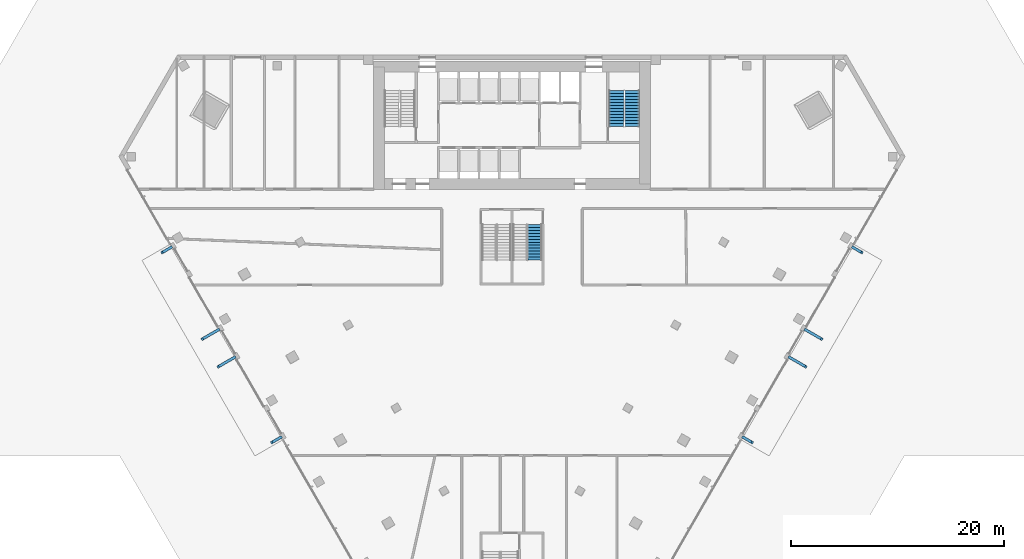
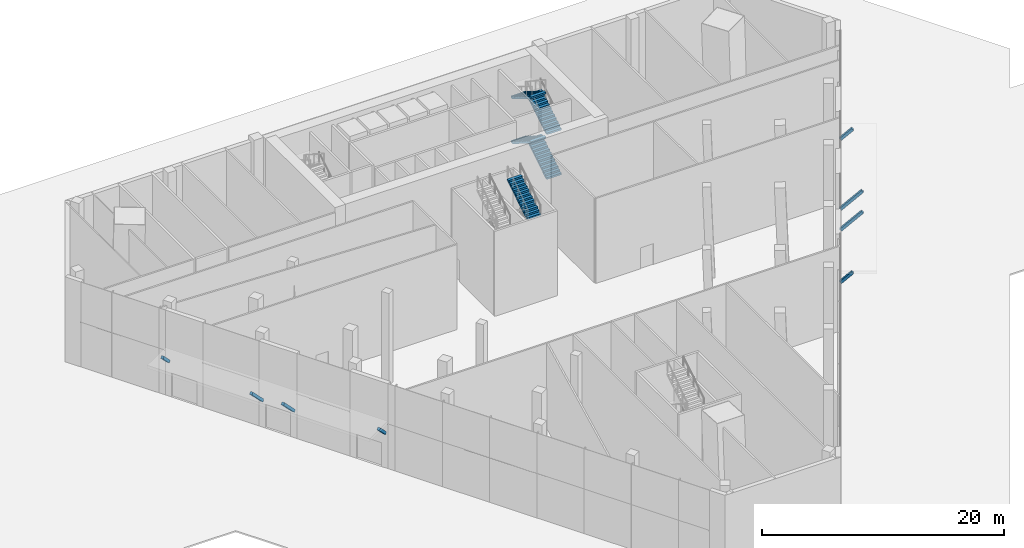
# One storey, part 16 of 21: 8 discrete accessories, 5 stair flights, 2 elements without a shape of their own.
"""IFC4 building model written with IfcOpenShell, lengths in metres."""

from ifc_helpers import new_model, si_unit, direction, frame, origin, origin_2d, place, context, subcontext, project, spatial, polyline, rectangle, outline, extrude, material, material_profile, profile_set, type_object, element, aggregate, save


model = new_model("IFC4")

# Units and contexts
model_context = context("Model", 3, precision=1e-05, world=origin(), true_north=direction((0.0, 1.0)))
body_context = subcontext(model_context, "Body", "Model", "MODEL_VIEW")
ifc_project = project(units=[si_unit("LENGTHUNIT", "METRE"), si_unit("AREAUNIT", "SQUARE_METRE"), si_unit("VOLUMEUNIT", "CUBIC_METRE"), si_unit("PLANEANGLEUNIT", "RADIAN"), si_unit("MASSUNIT", "GRAM", prefix="KILO")], contexts=[model_context])

# Site, building, storey
site_placement = place(None, origin())
site = spatial("IfcSite", under=ifc_project, at=site_placement, CompositionType="ELEMENT")
building_placement = place(site_placement, origin())
building = spatial("IfcBuilding", under=site, at=building_placement, Name="Altiplano Prism Tower", CompositionType="ELEMENT")
storey_placement = place(building_placement, origin())
storey = spatial("IfcBuildingStorey", under=building, at=storey_placement, Name="L00", CompositionType="ELEMENT", Elevation=0.0)

# Stair, stair flights
ifc_material_1 = material(Name="Concrete C40/50", Category="concrete")
stair_type_1 = type_object("IfcStairType", Name="Exit stair 1400", PredefinedType="HALF_TURN_STAIR", material=ifc_material_1)
stair_1_placement = place(storey_placement, origin())
stair_1 = element("IfcStair", 1, at=stair_1_placement, inside=storey, type_object=stair_type_1, Name="L00 Exit Stair 2", PredefinedType="HALF_TURN_STAIR")
stair_flight_type = type_object("IfcStairFlightType", Name="Stair flight concrete 150", PredefinedType="STRAIGHT", material=ifc_material_1)
stair_flight_1_placement = place(storey_placement, frame((96.300048828125, 98.300048828125, 0.0), z_axis=(0.0, 0.0, 1.0), x_axis=(0.0, 1.0, 0.0)))
stair_flight_1 = element("IfcStairFlight", 2, at=stair_flight_1_placement, type_object=stair_flight_type, Name="ST2 flight 1", NumberOfRisers=13, NumberOfTreads=12, PredefinedType="STRAIGHT", RiserHeight=0.173076923, TreadLength=0.28, context=body_context, shape_type="SweptSolid", body=[
    extrude(outline(polyline([(0.0, 0.0), (0.0, 0.173095703125), (0.280029296875, 0.173095703125), (0.280029296875, 0.34619140625), (0.56005859375, 0.34619140625), (0.56005859375, 0.519287109375), (0.840087890625, 0.519287109375), (0.840087890625, 0.6923828125), (1.1201171875, 0.6923828125), (1.1201171875, 0.865478515625), (1.39990234375, 0.865478515625), (1.39990234375, 1.03857421875), (1.679931640625, 1.03857421875), (1.679931640625, 1.21142578125), (1.9599609375, 1.21142578125), (1.9599609375, 1.384521484375), (2.239990234375, 1.384521484375), (2.239990234375, 1.5576171875), (2.52001953125, 1.5576171875), (2.52001953125, 1.730712890625), (2.800048828125, 1.730712890625), (2.800048828125, 1.90380859375), (3.080078125, 1.90380859375), (3.080078125, 2.076904296875), (3.360107421875, 2.076904296875), (3.360107421875, 2.25), (3.360107421875, 1.900634765625), (0.28515625, 0.0), (0.0, 0.0)])), frame((0.0, 0.699951171875, 0.0), z_axis=(0.0, -1.0, 0.0), x_axis=(1.0, 0.0, 0.0)), (0.0, 0.0, 1.0), 1.39990234375),
])
stair_flight_2_placement = place(storey_placement, frame((94.800048828125, 101.659912109375, 2.25), z_axis=(0.0, 0.0, 1.0), x_axis=(0.0, -1.0, 0.0)))
stair_flight_2 = element("IfcStairFlight", 3, at=stair_flight_2_placement, type_object=stair_flight_type, Name="ST2 flight 2", NumberOfRisers=13, NumberOfTreads=12, PredefinedType="STRAIGHT", RiserHeight=0.173076923, TreadLength=0.28, context=body_context, shape_type="SweptSolid", body=[
    extrude(outline(polyline([(0.0, 0.0), (0.0, 0.173095703125), (0.280029296875, 0.173095703125), (0.280029296875, 0.34619140625), (0.56005859375, 0.34619140625), (0.56005859375, 0.519287109375), (0.840087890625, 0.519287109375), (0.840087890625, 0.6923828125), (1.1201171875, 0.6923828125), (1.1201171875, 0.865478515625), (1.39990234375, 0.865478515625), (1.39990234375, 1.03857421875), (1.679931640625, 1.03857421875), (1.679931640625, 1.21142578125), (1.9599609375, 1.21142578125), (1.9599609375, 1.384521484375), (2.239990234375, 1.384521484375), (2.239990234375, 1.5576171875), (2.52001953125, 1.5576171875), (2.52001953125, 1.730712890625), (2.800048828125, 1.730712890625), (2.800048828125, 1.90380859375), (3.080078125, 1.90380859375), (3.080078125, 2.076904296875), (3.360107421875, 2.076904296875), (3.360107421875, 2.25), (3.360107421875, 1.900634765625), (0.28515625, 0.0), (0.0, 0.0)])), frame((0.0, 0.699951171875, 0.0), z_axis=(0.0, -1.0, 0.0), x_axis=(1.0, 0.0, 0.0)), (0.0, 0.0, 1.0), 1.39990234375),
])
stair_flight_3_placement = place(storey_placement, frame((96.300048828125, 98.300048828125, 4.5), z_axis=(0.0, 0.0, 1.0), x_axis=(0.0, 1.0, 0.0)))
stair_flight_3 = element("IfcStairFlight", 4, at=stair_flight_3_placement, type_object=stair_flight_type, Name="ST2 flight 3", NumberOfRisers=13, NumberOfTreads=12, PredefinedType="STRAIGHT", RiserHeight=0.173076923, TreadLength=0.28, context=body_context, shape_type="SweptSolid", body=[
    extrude(outline(polyline([(0.0, 0.0), (0.0, 0.173095703125), (0.280029296875, 0.173095703125), (0.280029296875, 0.34619140625), (0.56005859375, 0.34619140625), (0.56005859375, 0.519287109375), (0.840087890625, 0.519287109375), (0.840087890625, 0.6923828125), (1.1201171875, 0.6923828125), (1.1201171875, 0.865478515625), (1.39990234375, 0.865478515625), (1.39990234375, 1.03857421875), (1.679931640625, 1.03857421875), (1.679931640625, 1.21142578125), (1.9599609375, 1.21142578125), (1.9599609375, 1.384521484375), (2.239990234375, 1.384521484375), (2.239990234375, 1.5576171875), (2.52001953125, 1.5576171875), (2.52001953125, 1.730712890625), (2.800048828125, 1.730712890625), (2.800048828125, 1.90380859375), (3.080078125, 1.90380859375), (3.080078125, 2.076904296875), (3.360107421875, 2.076904296875), (3.360107421875, 2.25), (3.360107421875, 1.900634765625), (0.28515625, 0.0), (0.0, 0.0)])), frame((0.0, 0.699951171875, 0.0), z_axis=(0.0, -1.0, 0.0), x_axis=(1.0, 0.0, 0.0)), (0.0, 0.0, 1.0), 1.39990234375),
])
stair_flight_4_placement = place(storey_placement, frame((94.800048828125, 101.659912109375, 6.75), z_axis=(0.0, 0.0, 1.0), x_axis=(0.0, -1.0, 0.0)))
stair_flight_4 = element("IfcStairFlight", 5, at=stair_flight_4_placement, type_object=stair_flight_type, Name="ST2 flight 4", NumberOfRisers=13, NumberOfTreads=12, PredefinedType="STRAIGHT", RiserHeight=0.173076923, TreadLength=0.28, context=body_context, shape_type="SweptSolid", body=[
    extrude(outline(polyline([(0.0, 0.0), (0.0, 0.173095703125), (0.280029296875, 0.173095703125), (0.280029296875, 0.34619140625), (0.56005859375, 0.34619140625), (0.56005859375, 0.519287109375), (0.840087890625, 0.519287109375), (0.840087890625, 0.6923828125), (1.1201171875, 0.6923828125), (1.1201171875, 0.865478515625), (1.39990234375, 0.865478515625), (1.39990234375, 1.03857421875), (1.679931640625, 1.03857421875), (1.679931640625, 1.21142578125), (1.9599609375, 1.21142578125), (1.9599609375, 1.384521484375), (2.239990234375, 1.384521484375), (2.239990234375, 1.5576171875), (2.52001953125, 1.5576171875), (2.52001953125, 1.730712890625), (2.800048828125, 1.730712890625), (2.800048828125, 1.90380859375), (3.080078125, 1.90380859375), (3.080078125, 2.076904296875), (3.360107421875, 2.076904296875), (3.360107421875, 2.25), (3.360107421875, 1.900634765625), (0.28515625, 0.0), (0.0, 0.0)])), frame((0.0, 0.699951171875, 0.0), z_axis=(0.0, -1.0, 0.0), x_axis=(1.0, 0.0, 0.0)), (0.0, 0.0, 1.0), 1.39990234375),
])
aggregate(stair_1, [stair_flight_1, stair_flight_2, stair_flight_3, stair_flight_4])

# Stair, stair flight
stair_type_2 = type_object("IfcStairType", Name="Exit stair 1300", PredefinedType="HALF_TURN_STAIR", material=ifc_material_1)
stair_2_placement = place(storey_placement, origin())
stair_2 = element("IfcStair", 6, at=stair_2_placement, inside=storey, type_object=stair_type_2, Name="L00 Exit Stair 3B", PredefinedType="HALF_TURN_STAIR")
stair_flight_5_placement = place(storey_placement, frame((87.14990234375, 85.739990234375, 6.75), z_axis=(0.0, 0.0, 1.0), x_axis=(0.0, 1.0, 0.0)))
stair_flight_5 = element("IfcStairFlight", 7, at=stair_flight_5_placement, type_object=stair_flight_type, Name="ST3B flight 4", NumberOfRisers=13, NumberOfTreads=12, PredefinedType="STRAIGHT", RiserHeight=0.173076923, TreadLength=0.28, context=body_context, shape_type="SweptSolid", body=[
    extrude(outline(polyline([(0.0, 0.0), (0.0, 0.173095703125), (0.280029296875, 0.173095703125), (0.280029296875, 0.34619140625), (0.56005859375, 0.34619140625), (0.56005859375, 0.519287109375), (0.840087890625, 0.519287109375), (0.840087890625, 0.6923828125), (1.1201171875, 0.6923828125), (1.1201171875, 0.865478515625), (1.39990234375, 0.865478515625), (1.39990234375, 1.03857421875), (1.679931640625, 1.03857421875), (1.679931640625, 1.21142578125), (1.9599609375, 1.21142578125), (1.9599609375, 1.384521484375), (2.239990234375, 1.384521484375), (2.239990234375, 1.5576171875), (2.52001953125, 1.5576171875), (2.52001953125, 1.730712890625), (2.800048828125, 1.730712890625), (2.800048828125, 1.90380859375), (3.080078125, 1.90380859375), (3.080078125, 2.076904296875), (3.360107421875, 2.076904296875), (3.360107421875, 2.25), (3.360107421875, 1.900634765625), (0.28515625, 0.0), (0.0, 0.0)])), frame((0.0, 0.64990234375, 0.0), z_axis=(0.0, -1.0, 0.0), x_axis=(1.0, 0.0, 0.0)), (0.0, 0.0, 1.0), 1.300048828125),
])
aggregate(stair_2, [stair_flight_5])

# Discrete accessories
ifc_material_2 = material(Name="Steel S355", Category="steel")
ifc_material_profile = material_profile(ifc_material_2, rectangle(XDim=0.25, YDim=0.25, at=origin_2d()), Name="Canopy bracket 250 x 250")
ifc_profile_set = profile_set([ifc_material_profile], Name="Steel S355")
discrete_accessory_type = type_object("IfcDiscreteAccessoryType", Name="Canopy bracket 250 x 250", PredefinedType="USERDEFINED", material=ifc_profile_set)
discrete_accessory_1_placement = place(storey_placement, frame((52.986083984375, 86.949951171875, 3.5), z_axis=(-0.612454420908, -0.353524987041, 0.707049974081), x_axis=(0.499919672301, -0.866071776036, 0.0)))
element("IfcDiscreteAccessory", 8, at=discrete_accessory_1_placement, inside=storey, type_object=discrete_accessory_type, Name="Canopy bracket 1.1", ObjectType="BRACKET", PredefinedType="USERDEFINED", context=body_context, shape_type="SweptSolid", body=[
    extrude(rectangle(XDim=0.25, YDim=0.25, at=origin_2d()), origin(), (0.0, 0.0, 1.0), 1.414306640625),
])
for number, where, z_axis, x_axis, name in (
    (9, (57.450927734375, 79.216552734375, 2.699951171875), (-0.61234974706, -0.353599611184, 0.707103317944), (0.500062916607, -0.865989075817, 0.0), "Canopy bracket 1.2"),
    (10, (58.950927734375, 76.618408203125, 2.699951171875), (-0.612370511161, -0.353515693679, 0.707127295034), (0.499961193289, -0.866047807691, 0.0), "Canopy bracket 1.3"),
):
    element("IfcDiscreteAccessory", number, at=place(storey_placement, frame(where, z_axis=z_axis, x_axis=x_axis)), inside=storey, type_object=discrete_accessory_type, Name=name, ObjectType="BRACKET", PredefinedType="USERDEFINED", context=body_context, shape_type="SweptSolid", body=[
        extrude(rectangle(XDim=0.25, YDim=0.25, at=origin_2d()), origin(), (0.0, 0.0, 1.0), 2.545654296875),
    ])
for number, where, z_axis, x_axis, name in (
    (11, (63.290771484375, 69.1015625, 3.5), (-0.612454420908, -0.353524987041, 0.707049974081), (0.499919672301, -0.866071776036, 0.0), "Canopy bracket 1.4"),
    (12, (106.709228515625, 69.1015625, 3.5), (0.612454420908, -0.353524987041, 0.707049974081), (0.499919672301, 0.866071776036, 0.0), "Canopy bracket 2.1"),
):
    element("IfcDiscreteAccessory", number, at=place(storey_placement, frame(where, z_axis=z_axis, x_axis=x_axis)), inside=storey, type_object=discrete_accessory_type, Name=name, ObjectType="BRACKET", PredefinedType="USERDEFINED", context=body_context, shape_type="SweptSolid", body=[
        extrude(rectangle(XDim=0.25, YDim=0.25, at=origin_2d()), origin(), (0.0, 0.0, 1.0), 1.414306640625),
    ])
for number, where, z_axis, x_axis, name in (
    (13, (111.049072265625, 76.618408203125, 2.699951171875), (0.612370511161, -0.353515693679, 0.707127295034), (0.499961193289, 0.866047807691, 0.0), "Canopy bracket 2.2"),
    (14, (112.549072265625, 79.216552734375, 2.699951171875), (0.61234974706, -0.353599611184, 0.707103317944), (0.500062916607, 0.865989075817, 0.0), "Canopy bracket 2.3"),
):
    element("IfcDiscreteAccessory", number, at=place(storey_placement, frame(where, z_axis=z_axis, x_axis=x_axis)), inside=storey, type_object=discrete_accessory_type, Name=name, ObjectType="BRACKET", PredefinedType="USERDEFINED", context=body_context, shape_type="SweptSolid", body=[
        extrude(rectangle(XDim=0.25, YDim=0.25, at=origin_2d()), origin(), (0.0, 0.0, 1.0), 2.545654296875),
    ])
discrete_accessory_2_placement = place(storey_placement, frame((117.013916015625, 86.949951171875, 3.5), z_axis=(0.612454420908, -0.353524987041, 0.707049974081), x_axis=(0.499919672301, 0.866071776036, 0.0)))
element("IfcDiscreteAccessory", 15, at=discrete_accessory_2_placement, inside=storey, type_object=discrete_accessory_type, Name="Canopy bracket 2.4", ObjectType="BRACKET", PredefinedType="USERDEFINED", context=body_context, shape_type="SweptSolid", body=[
    extrude(rectangle(XDim=0.25, YDim=0.25, at=origin_2d()), origin(), (0.0, 0.0, 1.0), 1.414306640625),
])

save(model, "model.ifc")
